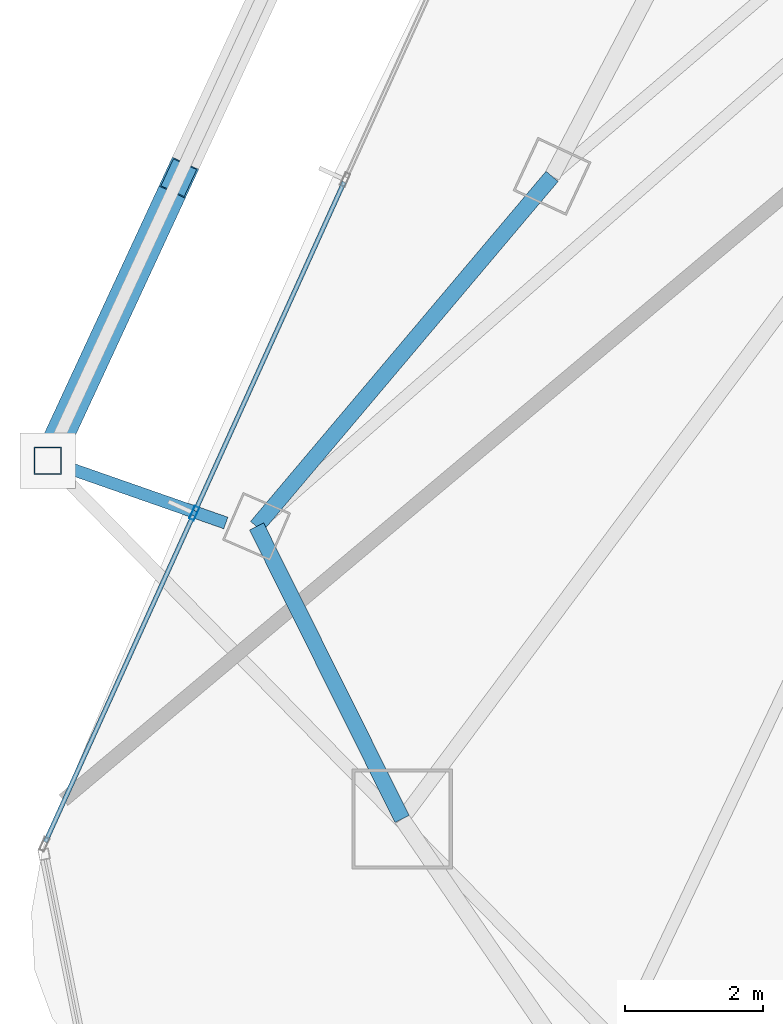
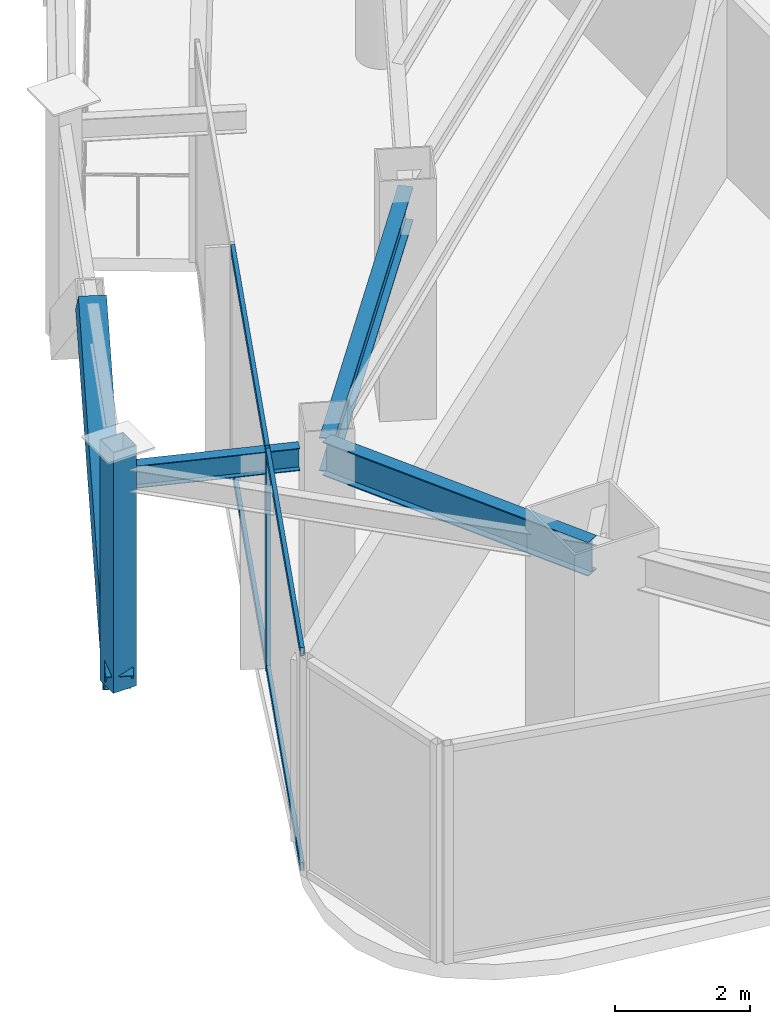
# One storey, part 4 of 27: 7 members, 3 beams, 1 element without a shape of its own.
"""IFC4 building model written with IfcOpenShell, lengths in metres."""

from ifc_helpers import new_model, si_unit, direction, frame, origin, origin_2d, place, context, subcontext, project, spatial, hollow_rectangle, i_section, extrude, material, layer, layer_set, material_profile, profile_set, type_object, element, aggregate, save


model = new_model("IFC4")

# Units and contexts
model_context = context("Model", 3, precision=1e-05, world=origin(), true_north=direction((0.0, 1.0)))
body_context = subcontext(model_context, "Body", "Model", "MODEL_VIEW")
ifc_project = project(units=[si_unit("LENGTHUNIT", "METRE"), si_unit("AREAUNIT", "SQUARE_METRE"), si_unit("VOLUMEUNIT", "CUBIC_METRE"), si_unit("PLANEANGLEUNIT", "RADIAN"), si_unit("MASSUNIT", "GRAM", prefix="KILO")], contexts=[model_context])

# Site, building, storey
site_placement = place(None, origin())
site = spatial("IfcSite", under=ifc_project, at=site_placement, CompositionType="ELEMENT")
building_placement = place(site_placement, origin())
building = spatial("IfcBuilding", under=site, at=building_placement, Name="Orvanel Arch Residences", CompositionType="ELEMENT")
storey_placement = place(building_placement, frame((0.0, 0.0, 186.949951171875)))
storey = spatial("IfcBuildingStorey", under=building, at=storey_placement, Name="L53", CompositionType="ELEMENT", Elevation=186.949951171875)

# Member
ifc_material_1 = material(Name="Structural steel AS/NZS 3678 Grade 350", Category="steel")
ifc_material_profile_1 = material_profile(ifc_material_1, hollow_rectangle(XDim=0.419921875, YDim=0.719970703125, WallThickness=0.02490234375, at=origin_2d()), Name="RHS720x420x25")
ifc_profile_set_1 = profile_set([ifc_material_profile_1], Name="Structural steel AS/NZS 3678 Grade 350")
member_type_1 = type_object("IfcMemberType", Name="BR-720RHS-EXT", PredefinedType="BRACE", material=ifc_profile_set_1)
member_1_placement = place(storey_placement, frame((9.074951171875, 15.531005859375, 0.0), z_axis=(0.323358020905, 0.697888718566, 0.639054713475), x_axis=(-0.907337300482, 0.420403405259, 0.0)))
element("IfcMember", 1, at=member_1_placement, inside=storey, type_object=member_type_1, Name="L53 Exterior Sky-Garden V-Frame Chevron F1B3.2", PredefinedType="BRACE", context=body_context, shape_type="SweptSolid", body=[
    extrude(hollow_rectangle(XDim=0.419921875, YDim=0.719970703125, WallThickness=0.02490234375, at=origin_2d()), origin(), (0.0, 0.0, 1.0), 5.863525390625),
])

# Curtain wall, member
ifc_material_2 = material(Name="Bronze-anodised aluminium AA6063-T6", Category="aluminium")
ifc_layer = layer(ifc_material_2, 0.195068359375)
ifc_layer_set = layer_set([ifc_layer], Name="Bronze-anodised aluminium AA6063-T6")
curtain_wall_type = type_object("IfcCurtainWallType", Name="CW6-COM-SYS", PredefinedType="NOTDEFINED", material=ifc_layer_set)
curtain_wall_placement = place(storey_placement, origin())
curtain_wall = element("IfcCurtainWall", 2, at=curtain_wall_placement, inside=storey, type_object=curtain_wall_type, Name="L53 CW6-COM-SYS Unitised Curtain Wall", PredefinedType="NOTDEFINED")
ifc_material_profile_2 = material_profile(ifc_material_2, hollow_rectangle(XDim=0.074951171875, YDim=0.199951171875, WallThickness=0.0048828125, at=origin_2d()), Name="ALU200x75x5")
ifc_profile_set_2 = profile_set([ifc_material_profile_2], Name="Bronze-anodised aluminium AA6063-T6")
member_type_2 = type_object("IfcMemberType", Name="MUL-200x75", PredefinedType="MULLION", material=ifc_profile_set_2)
member_2_placement = place(storey_placement, frame((11.193603515625, 14.77294921875, 0.0), z_axis=(0.0, 0.0, 1.0), x_axis=(0.911055535651, -0.412283653519, 0.0)))
member_2 = element("IfcMember", 3, at=member_2_placement, type_object=member_type_2, Name="CW-S6 mullion 3", PredefinedType="MULLION", context=body_context, shape_type="SweptSolid", body=[
    extrude(hollow_rectangle(XDim=0.074951171875, YDim=0.199951171875, WallThickness=0.0048828125, at=origin_2d()), origin(), (0.0, 0.0, 1.0), 3.949951171875),
])

# Beams
ifc_material_3 = material(Name="Structural steel AS/NZS 3679.1 Grade 300 (300 MPa)", Category="steel")
ifc_material_profile_3 = material_profile(ifc_material_3, i_section(OverallWidth=0.177978515625, OverallDepth=0.406005859375, WebThickness=0.0078125, FlangeThickness=0.0126953125, at=origin_2d()), Name="410UB59.7")
ifc_profile_set_3 = profile_set([ifc_material_profile_3], Name="Structural steel AS/NZS 3679.1 Grade 300 (300 MPa)")
beam_type_1 = type_object("IfcBeamType", Name="OB-410UB-EXT", PredefinedType="SPANDREL", material=ifc_profile_set_3)
beam_1_placement = place(storey_placement, frame((11.65087890625, 14.631103515625, 3.7470703125), z_axis=(-0.944049303991, 0.32980435357, 0.0), x_axis=(-0.32980435357, -0.944049303991, 0.0)))
element("IfcBeam", 4, at=beam_1_placement, inside=storey, type_object=beam_type_1, Name="L53 Outer Frame Radial Tie Beam 04", PredefinedType="SPANDREL", context=body_context, shape_type="SweptSolid", body=[
    extrude(i_section(OverallWidth=0.177978515625, OverallDepth=0.406005859375, WebThickness=0.0078125, FlangeThickness=0.0126953125, at=origin_2d()), origin(), (0.0, 0.0, 1.0), 2.728515625),
])
ifc_material_profile_4 = material_profile(ifc_material_3, i_section(OverallWidth=0.22900390625, OverallDepth=0.612060546875, WebThickness=0.011962890625, FlangeThickness=0.01953125, at=origin_2d()), Name="610UB125")
ifc_profile_set_4 = profile_set([ifc_material_profile_4], Name="Structural steel AS/NZS 3679.1 Grade 300 (300 MPa)")
beam_type_2 = type_object("IfcBeamType", Name="SP-610UB", PredefinedType="SPANDREL", material=ifc_profile_set_4)
beam_2_placement = place(storey_placement, frame((16.366943359375, 19.64208984375, 3.64404296875), z_axis=(-0.644950329775, -0.764224490659, 0.0), x_axis=(0.764224490659, -0.644950329775, 0.0)))
element("IfcBeam", 5, at=beam_2_placement, inside=storey, type_object=beam_type_2, Name="L53 Perimeter Spandrel Beam 01", PredefinedType="SPANDREL", context=body_context, shape_type="SweptSolid", body=[
    extrude(i_section(OverallWidth=0.22900390625, OverallDepth=0.612060546875, WebThickness=0.011962890625, FlangeThickness=0.01953125, at=origin_2d()), origin(), (0.0, 0.0, 1.0), 6.623779296875),
])
beam_3_placement = place(storey_placement, frame((12.094970703125, 14.580078125, 3.64404296875), z_axis=(0.44543469453, -0.895314432425, 0.0), x_axis=(0.895314432425, 0.44543469453, 0.0)))
element("IfcBeam", 6, at=beam_3_placement, inside=storey, type_object=beam_type_2, Name="L53 Perimeter Spandrel Beam 02", PredefinedType="SPANDREL", context=body_context, shape_type="SweptSolid", body=[
    extrude(i_section(OverallWidth=0.22900390625, OverallDepth=0.612060546875, WebThickness=0.011962890625, FlangeThickness=0.01953125, at=origin_2d()), origin(), (0.0, 0.0, 1.0), 4.723388671875),
])

# Member
ifc_material_4 = material(Name="Structural steel AS/NZS 1163 C450L0 (Grade 450)", Category="steel")
ifc_material_profile_5 = material_profile(ifc_material_4, hollow_rectangle(XDim=0.39990234375, YDim=0.39990234375, WallThickness=0.01611328125, at=origin_2d()), Name="SHS400x400x16")
ifc_profile_set_5 = profile_set([ifc_material_profile_5], Name="Structural steel AS/NZS 1163 C450L0 (Grade 450)")
member_type_3 = type_object("IfcMemberType", Name="ST-400SHS-EXT", PredefinedType="STRUT", material=ifc_profile_set_5)
member_3_placement = place(storey_placement, frame((9.074951171875, 15.531005859375, 0.0), z_axis=(0.0, 0.0, 1.0), x_axis=(1.0, 0.0, 0.0)))
element("IfcMember", 7, at=member_3_placement, inside=storey, type_object=member_type_3, Name="L53 Outer Perimeter Frame Post 04", PredefinedType="STRUT", context=body_context, shape_type="SweptSolid", body=[
    extrude(hollow_rectangle(XDim=0.39990234375, YDim=0.39990234375, WallThickness=0.01611328125, at=origin_2d()), origin(), (0.0, 0.0, 1.0), 4.35009765625),
])

ifc_material_profile_6 = material_profile(ifc_material_2, hollow_rectangle(XDim=0.06494140625, YDim=0.14990234375, WallThickness=0.00390625, at=origin_2d()), Name="ALU150x65x4")
ifc_profile_set_6 = profile_set([ifc_material_profile_6], Name="Bronze-anodised aluminium AA6063-T6")
member_type_4 = type_object("IfcMemberType", Name="TRN-150x65", PredefinedType="USERDEFINED", material=ifc_profile_set_6)
member_4_placement = place(storey_placement, frame((13.35986328125, 19.559814453125, 0.032470703125), z_axis=(-0.412264992172, -0.911063980316, 0.0), x_axis=(0.911063980316, -0.412264992172, 0.0)))
member_4 = element("IfcMember", 8, at=member_4_placement, type_object=member_type_4, Name="CW-S6 transom 2.1", ObjectType="TRANSOM", PredefinedType="USERDEFINED", context=body_context, shape_type="SweptSolid", body=[
    extrude(hollow_rectangle(XDim=0.06494140625, YDim=0.14990234375, WallThickness=0.00390625, at=origin_2d()), origin(), (0.0, 0.0, 1.0), 5.216552734375),
])

member_5_placement = place(storey_placement, frame((13.35986328125, 19.559814453125, 3.91748046875), z_axis=(-0.412264992172, -0.911063980316, 0.0), x_axis=(0.911063980316, -0.412264992172, 0.0)))
member_5 = element("IfcMember", 9, at=member_5_placement, type_object=member_type_4, Name="CW-S6 transom 2.2", ObjectType="TRANSOM", PredefinedType="USERDEFINED", context=body_context, shape_type="SweptSolid", body=[
    extrude(hollow_rectangle(XDim=0.06494140625, YDim=0.14990234375, WallThickness=0.00390625, at=origin_2d()), origin(), (0.0, 0.0, 1.0), 5.216552734375),
])

member_6_placement = place(storey_placement, frame((11.17822265625, 14.73876953125, 0.032470703125), z_axis=(-0.412278738013, -0.911057760069, 0.0), x_axis=(0.911057760069, -0.412278738013, 0.0)))
member_6 = element("IfcMember", 10, at=member_6_placement, type_object=member_type_4, Name="CW-S6 transom 3.1", ObjectType="TRANSOM", PredefinedType="USERDEFINED", context=body_context, shape_type="SweptSolid", body=[
    extrude(hollow_rectangle(XDim=0.06494140625, YDim=0.14990234375, WallThickness=0.00390625, at=origin_2d()), origin(), (0.0, 0.0, 1.0), 5.17919921875),
])

member_7_placement = place(storey_placement, frame((11.17822265625, 14.73876953125, 3.91748046875), z_axis=(-0.412278738013, -0.911057760069, 0.0), x_axis=(0.911057760069, -0.412278738013, 0.0)))
member_7 = element("IfcMember", 11, at=member_7_placement, type_object=member_type_4, Name="CW-S6 transom 3.2", ObjectType="TRANSOM", PredefinedType="USERDEFINED", context=body_context, shape_type="SweptSolid", body=[
    extrude(hollow_rectangle(XDim=0.06494140625, YDim=0.14990234375, WallThickness=0.00390625, at=origin_2d()), origin(), (0.0, 0.0, 1.0), 5.17919921875),
])

aggregate(curtain_wall, [member_2, member_4, member_5, member_6, member_7])

save(model, "model.ifc")
